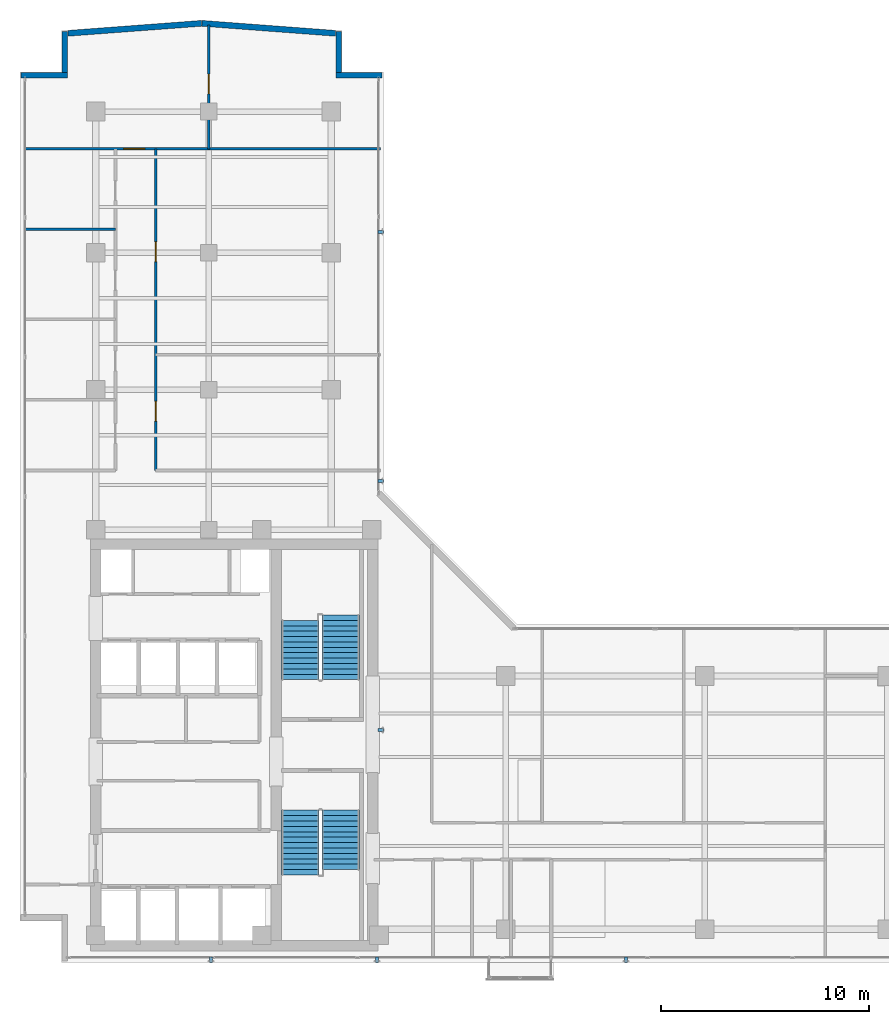
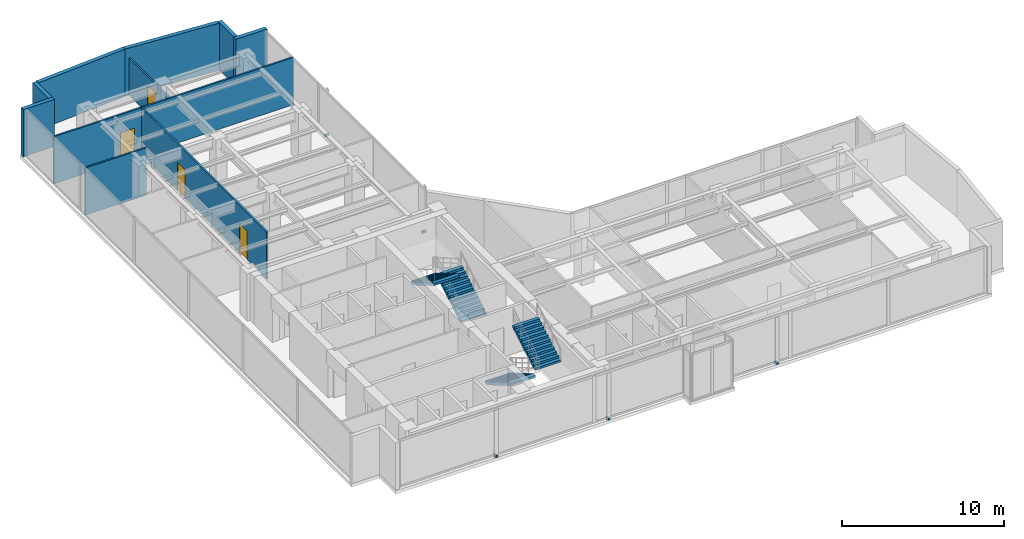
# One storey, part 19 of 24: 10 walls, 6 discrete accessories, 4 doors, 4 stair flights, 4 openings, 2 elements without a shape of their own.
"""IFC4 building model written with IfcOpenShell, lengths in metres."""

import ifcopenshell
import ifcopenshell.guid

model = None  # the IFC model being written
_history = None  # IfcOwnerHistory: only IFC2X3 demands one
_inside = {}  # id of a spatial element -> (the spatial element, [elements in it])
_under = {}  # id of a project, library or spatial element -> (it, [spatial elements below it])
_declared = {}  # id of a project -> (the project, [libraries it declares])
_typed = {}  # id of a type object -> (the type object, [elements of that type])
_made_of = {}  # id of a material, layer set ... -> (it, [elements and type objects made of it])


def new_model(schema):
    """Start an empty IFC model of exactly this schema.

    Asked for "IFC4X3", IfcOpenShell would pick the latest addendum, in which some entities
    have other attributes; the version numbers below select the first issue.
    IFC2X3 requires an IfcOwnerHistory on every rooted entity: one is made here for all.
    """
    global model, _history
    if schema == "IFC4X3":
        model = ifcopenshell.file(schema_version=(4, 3, 0, 0))
    else:
        model = ifcopenshell.file(schema=schema)
    _inside.clear()
    _under.clear()
    _declared.clear()
    _typed.clear()
    _made_of.clear()
    _history = None
    if model.schema == "IFC2X3":
        org = make("IfcOrganization", Name="unknown")
        user = make(
            "IfcPersonAndOrganization",
            ThePerson=make("IfcPerson", FamilyName="unknown"),
            TheOrganization=org,
        )
        app = make(
            "IfcApplication",
            ApplicationDeveloper=org,
            Version="unknown",
            ApplicationFullName="unknown",
            ApplicationIdentifier="unknown",
        )
        _history = make(
            "IfcOwnerHistory",
            OwningUser=user,
            OwningApplication=app,
            ChangeAction="ADDED",
            CreationDate=0,
        )
    return model


def make(cls, **values):
    """One entity of the class cls with the attributes given. An attribute that is None is left unset."""
    return model.create_entity(
        cls, **{name: value for name, value in values.items() if value is not None}
    )


def rooted(cls, **values):
    """An entity with a GlobalId (a new one), such as an element, a storey or a relation."""
    return make(cls, GlobalId=ifcopenshell.guid.new(), OwnerHistory=_history, **values)


def si_unit(unit_type, name, prefix=None):
    """IfcSIUnit, for example si_unit("LENGTHUNIT", "METRE", prefix="MILLI")."""
    return make("IfcSIUnit", UnitType=unit_type, Prefix=prefix, Name=name)


def assignment(units):
    """IfcUnitAssignment: the units of a project."""
    return None if units is None else make("IfcUnitAssignment", Units=units)


def point(xyz):
    """IfcCartesianPoint."""
    return None if xyz is None else make("IfcCartesianPoint", Coordinates=xyz)


def direction(xyz):
    """IfcDirection."""
    return None if xyz is None else make("IfcDirection", DirectionRatios=xyz)


def frame(location, z_axis=None, x_axis=None):
    """IfcAxis2Placement3D, a coordinate frame: its origin and axes. An axis left out is left unset."""
    return make(
        "IfcAxis2Placement3D",
        Location=point(location),
        Axis=direction(z_axis),
        RefDirection=direction(x_axis),
    )


def frame_2d(location, x_axis=None):
    """IfcAxis2Placement2D, a coordinate frame in the plane: its origin and x axis."""
    return make(
        "IfcAxis2Placement2D", Location=point(location), RefDirection=direction(x_axis)
    )


def origin():
    """The frame at (0, 0, 0) with its axes left unset."""
    return frame((0.0, 0.0, 0.0))


def origin_with_axes():
    """The frame at (0, 0, 0) with the z axis (0, 0, 1) and the x axis (1, 0, 0) written out."""
    return frame((0.0, 0.0, 0.0), z_axis=(0.0, 0.0, 1.0), x_axis=(1.0, 0.0, 0.0))


def origin_2d():
    """The frame at (0, 0) in the plane with its x axis left unset."""
    return frame_2d((0.0, 0.0))


def place(relative_to, where):
    """IfcLocalPlacement: puts the frame where relative to a parent placement (None: the world)."""
    return make(
        "IfcLocalPlacement", PlacementRelTo=relative_to, RelativePlacement=where
    )


def context(
    kind, dimensions, precision=None, world=None, true_north=None, identifier=None
):
    """IfcGeometricRepresentationContext, for example the 3D "Model" context."""
    return make(
        "IfcGeometricRepresentationContext",
        ContextIdentifier=identifier,
        ContextType=kind,
        CoordinateSpaceDimension=dimensions,
        Precision=precision,
        WorldCoordinateSystem=world,
        TrueNorth=true_north,
    )


def subcontext(parent, identifier, kind, view, scale=None):
    """IfcGeometricRepresentationSubContext, for example "Body" below "Model"."""
    return make(
        "IfcGeometricRepresentationSubContext",
        ContextIdentifier=identifier,
        ContextType=kind,
        ParentContext=parent,
        TargetScale=scale,
        TargetView=view,
    )


def project(units=None, contexts=None):
    """IfcProject with its units and contexts."""
    return rooted(
        "IfcProject",
        Name="project",
        RepresentationContexts=contexts,
        UnitsInContext=assignment(units),
    )


def spatial(cls, under=None, at=None, **own):
    """A site, building, storey or space (cls), placed at a placement, below another one or the project."""
    s = rooted(cls, ObjectPlacement=at, **own)
    if under is not None:
        _under.setdefault(under.id(), (under, []))[1].append(s)
    return s


def polyline(points):
    """IfcPolyline through the points."""
    return make("IfcPolyline", Points=[point(p) for p in points])


def profile(cls, at=None, kind="AREA", **sizes):
    """A parametric profile (cls). Its sizes go by their IFC names, for example OverallWidth=200.0."""
    return make(cls, ProfileType=kind, Position=at, **sizes)


def rectangle(**sizes):
    """IfcRectangleProfileDef."""
    return profile("IfcRectangleProfileDef", **sizes)


def outline(outer, holes=None, kind="AREA"):
    """IfcArbitraryClosedProfileDef: a profile drawn as a closed curve; with holes, ...WithVoids."""
    if holes is None:
        return make("IfcArbitraryClosedProfileDef", ProfileType=kind, OuterCurve=outer)
    return make(
        "IfcArbitraryProfileDefWithVoids",
        ProfileType=kind,
        OuterCurve=outer,
        InnerCurves=holes,
    )


def extrude(swept, where, along, depth):
    """IfcExtrudedAreaSolid: the profile swept, set in the frame where, extruded along a direction by depth."""
    return make(
        "IfcExtrudedAreaSolid",
        SweptArea=swept,
        Position=where,
        ExtrudedDirection=direction(along),
        Depth=depth,
    )


def shape(context_of_items, identifier, shape_type, items):
    """IfcShapeRepresentation: the items that make up one representation, for example the "Body"."""
    return make(
        "IfcShapeRepresentation",
        ContextOfItems=context_of_items,
        RepresentationIdentifier=identifier,
        RepresentationType=shape_type,
        Items=items,
    )


def source(mapping_origin, context_of_items, identifier, shape_type, items):
    """IfcRepresentationMap: a shape defined once, which mapped items show again and again."""
    return make(
        "IfcRepresentationMap",
        MappingOrigin=mapping_origin,
        MappedRepresentation=shape(context_of_items, identifier, shape_type, items),
    )


def transform(
    local_origin,
    x_axis=None,
    y_axis=None,
    z_axis=None,
    scale=None,
    scale2=None,
    scale3=None,
    uniform=True,
):
    """IfcCartesianTransformationOperator3D, or its non-uniform kind. x_axis, y_axis, z_axis: its Axis1, 2, 3."""
    if uniform:
        return make(
            "IfcCartesianTransformationOperator3D",
            Axis1=direction(x_axis),
            Axis2=direction(y_axis),
            LocalOrigin=point(local_origin),
            Scale=scale,
            Axis3=direction(z_axis),
        )
    return make(
        "IfcCartesianTransformationOperator3DnonUniform",
        Axis1=direction(x_axis),
        Axis2=direction(y_axis),
        LocalOrigin=point(local_origin),
        Scale=scale,
        Axis3=direction(z_axis),
        Scale2=scale2,
        Scale3=scale3,
    )


def mapped(mapping_source, mapping_target):
    """IfcMappedItem: shows the shape of a source again, moved by a transform."""
    return make(
        "IfcMappedItem", MappingSource=mapping_source, MappingTarget=mapping_target
    )


def material(Name=None, Category=None):
    """IfcMaterial."""
    return make("IfcMaterial", Name=Name, Category=Category)


def layer(
    of_material, thickness, ventilated=None, Name=None, Category=None, Priority=None
):
    """IfcMaterialLayer: one layer of a wall or slab, of a material (None: an air gap)."""
    return make(
        "IfcMaterialLayer",
        Material=of_material,
        LayerThickness=thickness,
        IsVentilated=ventilated,
        Name=Name,
        Category=Category,
        Priority=Priority,
    )


def layer_set(layers, Name=None):
    """IfcMaterialLayerSet."""
    return make("IfcMaterialLayerSet", MaterialLayers=layers, LayerSetName=Name)


def made_of(thing, what):
    """Note that an element or type object is made of a material, layer set ...; save() writes the relation."""
    if what is not None:
        _made_of.setdefault(what.id(), (what, []))[1].append(thing)
    return thing


def type_object(cls, material=None, **own):
    """A type object (cls), such as IfcWallType, which elements share."""
    return made_of(rooted(cls, **own), material)


def element(
    cls,
    number,
    at=None,
    inside=None,
    cuts=None,
    type_object=None,
    material=None,
    context=None,
    identifier="Body",
    shape_type=None,
    held_by="IfcProductDefinitionShape",
    body=None,
    shapes=None,
    **own,
):
    """One element of the class cls, such as IfcWall. Its Tag is "e" and its number.

    at: its placement. inside: the storey or other place that contains it. cuts: it is an
    opening in that element (IfcRelVoidsElement). A single representation is given by context,
    identifier, shape_type and body (its items); several are given by shapes. held_by: the class
    of the entity that holds the representations. save() writes the other relations.
    """
    e = rooted(cls, Tag="e%d" % number, ObjectPlacement=at, **own)
    if body is not None:
        shapes = [shape(context, identifier, shape_type, body)]
    if shapes is not None:
        e.Representation = make(held_by, Representations=shapes)
    if inside is not None:
        _inside.setdefault(inside.id(), (inside, []))[1].append(e)
    if cuts is not None:
        rooted(
            "IfcRelVoidsElement", RelatingBuildingElement=cuts, RelatedOpeningElement=e
        )
    if type_object is not None:
        _typed.setdefault(type_object.id(), (type_object, []))[1].append(e)
    return made_of(e, material)


def fill(opening, filler):
    """IfcRelFillsElement: the door or window that sits in an opening."""
    return rooted(
        "IfcRelFillsElement",
        RelatingOpeningElement=opening,
        RelatedBuildingElement=filler,
    )


def aggregate(whole, parts):
    """IfcRelAggregates: a whole, such as a stair, and the parts it consists of."""
    return rooted("IfcRelAggregates", RelatingObject=whole, RelatedObjects=parts)


def save(model, path):
    """Write the relations noted so far, then the file.

    IfcRelAggregates (storeys below a building ...), IfcRelContainedInSpatialStructure (elements
    in a storey), IfcRelDefinesByType, IfcRelAssociatesMaterial and IfcRelDeclares: one each for
    every whole, place, type object, material and project.
    """
    for whole, parts in _under.values():
        aggregate(whole, parts)
    for where, things in _inside.values():
        rooted(
            "IfcRelContainedInSpatialStructure",
            RelatedElements=things,
            RelatingStructure=where,
        )
    for kind, things in _typed.values():
        rooted("IfcRelDefinesByType", RelatedObjects=things, RelatingType=kind)
    for what, things in _made_of.values():
        rooted("IfcRelAssociatesMaterial", RelatedObjects=things, RelatingMaterial=what)
    for by, libraries in _declared.values():
        rooted("IfcRelDeclares", RelatingContext=by, RelatedDefinitions=libraries)
    model.write(path)


model = new_model("IFC4")

# Units and contexts
model_context = context("Model", 3, precision=1e-05, world=origin(), true_north=direction((0.0, 1.0)))
body_context = subcontext(model_context, "Body", "Model", "MODEL_VIEW")
ifc_project = project(units=[si_unit("LENGTHUNIT", "METRE"), si_unit("AREAUNIT", "SQUARE_METRE"), si_unit("VOLUMEUNIT", "CUBIC_METRE"), si_unit("PLANEANGLEUNIT", "RADIAN"), si_unit("MASSUNIT", "GRAM", prefix="KILO")], contexts=[model_context])

# Site, building, storey
site_placement = place(None, origin())
site = spatial("IfcSite", under=ifc_project, at=site_placement, CompositionType="ELEMENT")
building_placement = place(site_placement, origin())
building = spatial("IfcBuilding", under=site, at=building_placement, Name="Kolvaren Waterfront Exchange", CompositionType="ELEMENT")
storey_placement = place(building_placement, frame((0.0, 0.0, 293.199951171875)))
storey = spatial("IfcBuildingStorey", under=building, at=storey_placement, Name="L75", CompositionType="ELEMENT", Elevation=293.199951171875)

# Walls
ifc_material_1 = material(Name="Precast concrete C40/50", Category="concrete")
ifc_layer_1 = layer(ifc_material_1, 0.280029296875, Name="Precast concrete C40/50")
ifc_layer_set_1 = layer_set([ifc_layer_1], Name="Precast concrete C40/50")
wall_type_1 = type_object("IfcWallType", Name="ARC-EXT-TERR-280", PredefinedType="SOLIDWALL", material=ifc_layer_set_1)
wall_1_placement = place(storey_placement, frame((19.015869140625, 46.34521484375, 0.0), z_axis=(0.0, 0.0, 1.0), x_axis=(1.0, 0.0, 0.0)))
element("IfcWall", 1, at=wall_1_placement, inside=storey, type_object=wall_type_1, Name="L75 notched corner spandrel pier NNE-A", PredefinedType="SOLIDWALL", context=body_context, shape_type="SweptSolid", body=[
    extrude(rectangle(XDim=2.239990234375, YDim=0.280029296875, at=frame_2d((1.1201171875, 0.0))), origin(), (0.0, 0.0, 1.0), 3.56005859375),
])
wall_2_placement = place(storey_placement, frame((19.15576171875, 46.4853515625, 0.0), z_axis=(0.0, 0.0, 1.0), x_axis=(0.0, 1.0, 0.0)))
element("IfcWall", 2, at=wall_2_placement, inside=storey, type_object=wall_type_1, Name="L75 notched corner spandrel pier NNE-B", PredefinedType="SOLIDWALL", context=body_context, shape_type="SweptSolid", body=[
    extrude(rectangle(XDim=1.9599609375, YDim=0.280029296875, at=frame_2d((0.97998046875, 0.0))), origin(), (0.0, 0.0, 1.0), 3.56005859375),
])
wall_3_placement = place(storey_placement, frame((3.860107421875, 46.34521484375, 0.0), z_axis=(0.0, 0.0, 1.0), x_axis=(1.0, 0.0, 0.0)))
element("IfcWall", 3, at=wall_3_placement, inside=storey, type_object=wall_type_1, Name="L75 notched corner spandrel pier NW-A", PredefinedType="SOLIDWALL", context=body_context, shape_type="SweptSolid", body=[
    extrude(rectangle(XDim=2.239990234375, YDim=0.280029296875, at=frame_2d((1.1201171875, 0.0))), origin(), (0.0, 0.0, 1.0), 3.56005859375),
])
wall_4_placement = place(storey_placement, frame((5.9599609375, 46.4853515625, 0.0), z_axis=(0.0, 0.0, 1.0), x_axis=(0.0, 1.0, 0.0)))
element("IfcWall", 4, at=wall_4_placement, inside=storey, type_object=wall_type_1, Name="L75 notched corner spandrel pier NW-B", PredefinedType="SOLIDWALL", context=body_context, shape_type="SweptSolid", body=[
    extrude(rectangle(XDim=1.9599609375, YDim=0.280029296875, at=frame_2d((0.97998046875, 0.0))), origin(), (0.0, 0.0, 1.0), 3.56005859375),
])
for number, where, z_axis, x_axis, name in (
    (5, (19.004638671875, 48.3681640625, 0.0), (0.0, 0.0, 1.0), (-0.997216134308, 0.074565283315, 0.0), "L75 north prow faceted facade wall 1"),
    (6, (12.5498046875, 48.849609375, 0.0), (0.0, 0.0, 1.0), (-0.997216134308, -0.074565283315, 0.0), "L75 north prow faceted facade wall 2"),
):
    element("IfcWall", number, at=place(storey_placement, frame(where, z_axis=z_axis, x_axis=x_axis)), inside=storey, type_object=wall_type_1, Name=name, PredefinedType="SOLIDWALL", context=body_context, shape_type="SweptSolid", body=[
        extrude(rectangle(XDim=6.456787109375, YDim=0.280029296875, at=frame_2d((3.228515625, 0.0))), origin(), (0.0, 0.0, 1.0), 3.56005859375),
    ])
ifc_material_2 = material(Name="Acoustic gypsum steel stud", Category="steel")
ifc_layer_2 = layer(ifc_material_2, 0.125, Name="Acoustic gypsum steel stud")
ifc_layer_set_2 = layer_set([ifc_layer_2], Name="Acoustic gypsum steel stud")
wall_type_2 = type_object("IfcWallType", Name="ARC-PART-125", PredefinedType="PARTITIONING", material=ifc_layer_set_2)
wall_5_placement = place(storey_placement, frame((4.0400390625, 38.919921875, 0.0), z_axis=(0.0, 0.0, 1.0), x_axis=(1.0, 0.0, 0.0)))
element("IfcWall", 7, at=wall_5_placement, inside=storey, type_object=wall_type_2, Name="L75 interior wall PW-L75-NW-DIV-3", PredefinedType="PARTITIONING", context=body_context, shape_type="SweptSolid", body=[
    extrude(rectangle(XDim=4.35986328125, YDim=0.125, at=frame_2d((2.179931640625, 0.0))), origin(), (0.0, 0.0, 1.0), 3.56005859375),
])

# Wall, opening, door
wall_6_placement = place(storey_placement, frame((4.0400390625, 42.800048828125, 0.0), z_axis=(0.0, 0.0, 1.0), x_axis=(1.0, 0.0, 0.0)))
wall_6 = element("IfcWall", 8, at=wall_6_placement, inside=storey, type_object=wall_type_2, Name="L75 interior wall PW-L75-NTIP-S", PredefinedType="PARTITIONING", context=body_context, shape_type="SweptSolid", body=[
    extrude(rectangle(XDim=17.119873046875, YDim=0.125, at=frame_2d((8.56005859375, 0.0))), origin(), (0.0, 0.0, 1.0), 3.56005859375),
])
opening_1_placement = place(wall_6_placement, frame((4.760009765625, 0.0, 0.0)))
opening_1 = element("IfcOpeningElement", 9, at=opening_1_placement, cuts=wall_6, Name="Opening D03", PredefinedType="OPENING", context=body_context, shape_type="SweptSolid", body=[
    extrude(rectangle(XDim=1.0, YDim=2.199951171875, at=frame_2d((0.5, 1.10009765625))), frame((0.0, 0.072509765625, 0.0), z_axis=(0.0, -1.0, 0.0), x_axis=(1.0, 0.0, 0.0)), (0.0, 0.0, 1.0), 0.14501953125),
])
ifc_material_3 = material(Name="Oak veneer accessible timber", Category="wood")
door_type_1 = type_object("IfcDoorType", Name="ARC-DR-1000", OperationType="NOTDEFINED", PredefinedType="DOOR", material=ifc_material_3)
door_1_placement = place(opening_1_placement, origin())
door_1 = element("IfcDoor", 10, at=door_1_placement, inside=storey, type_object=door_type_1, Name="L75 door DR-L75-NTIPW-D (D03)", OperationType="SINGLE_SWING_RIGHT", OverallHeight=2.199951171875, OverallWidth=1.0, PredefinedType="DOOR", context=body_context, shape_type="SweptSolid", body=[
    extrude(rectangle(XDim=1.0, YDim=2.199951171875, at=frame_2d((0.5, 1.10009765625))), frame((0.0, 0.02490234375, 0.0), z_axis=(0.0, -1.0, 0.0), x_axis=(1.0, 0.0, 0.0)), (0.0, 0.0, 1.0), 0.050048828125),
])
fill(opening_1, door_1)

wall_7_placement = place(storey_placement, frame((12.89990234375, 42.800048828125, 0.0), z_axis=(0.0, 0.0, 1.0), x_axis=(0.0, 1.0, 0.0)))
wall_7 = element("IfcWall", 11, at=wall_7_placement, inside=storey, type_object=wall_type_2, Name="L75 interior wall PW-L75-NTIP-DIV", PredefinedType="PARTITIONING", context=body_context, shape_type="SweptSolid", body=[
    extrude(rectangle(XDim=5.970458984375, YDim=0.125, at=frame_2d((2.9853515625, 0.0))), origin(), (0.0, 0.0, 1.0), 2.798095703125),
])
opening_2_placement = place(wall_7_placement, frame((2.64794921875, 0.0, 0.0)))
opening_2 = element("IfcOpeningElement", 12, at=opening_2_placement, cuts=wall_7, Name="Opening D02", PredefinedType="OPENING", context=body_context, shape_type="SweptSolid", body=[
    extrude(rectangle(XDim=0.949951171875, YDim=2.14990234375, at=frame_2d((0.47509765625, 1.074951171875))), frame((0.0, 0.072509765625, 0.0), z_axis=(0.0, -1.0, 0.0), x_axis=(1.0, 0.0, 0.0)), (0.0, 0.0, 1.0), 0.14501953125),
])
ifc_material_4 = material(Name="Oak veneer acoustic timber", Category="wood")
door_type_2 = type_object("IfcDoorType", Name="ARC-DR-950", OperationType="NOTDEFINED", PredefinedType="DOOR", material=ifc_material_4)
door_2_placement = place(opening_2_placement, origin())
door_2 = element("IfcDoor", 13, at=door_2_placement, inside=storey, type_object=door_type_2, Name="L75 door DR-L75-NTIPE-D (D02)", OperationType="SINGLE_SWING_LEFT", OverallHeight=2.14990234375, OverallWidth=0.949951171875, PredefinedType="DOOR", context=body_context, shape_type="SweptSolid", body=[
    extrude(rectangle(XDim=0.949951171875, YDim=2.14990234375, at=frame_2d((0.47509765625, 1.074951171875))), frame((0.0, 0.02490234375, 0.0), z_axis=(0.0, -1.0, 0.0), x_axis=(1.0, 0.0, 0.0)), (0.0, 0.0, 1.0), 0.050048828125),
])
fill(opening_2, door_2)

# Wall, openings, doors
wall_8_placement = place(storey_placement, frame((10.340087890625, 27.300048828125, 0.0), z_axis=(0.0, 0.0, 1.0), x_axis=(0.0, 1.0, 0.0)))
wall_8 = element("IfcWall", 14, at=wall_8_placement, inside=storey, type_object=wall_type_2, Name="L75 interior wall PW-L75-NE-CORR", PredefinedType="PARTITIONING", context=body_context, shape_type="SweptSolid", body=[
    extrude(rectangle(XDim=15.5, YDim=0.125, at=frame_2d((7.75, 0.0))), origin(), (0.0, 0.0, 1.0), 3.56005859375),
])
opening_3_placement = place(wall_8_placement, frame((2.385986328125, 0.0, 0.0)))
opening_3 = element("IfcOpeningElement", 15, at=opening_3_placement, cuts=wall_8, Name="Opening D02", PredefinedType="OPENING", context=body_context, shape_type="SweptSolid", body=[
    extrude(rectangle(XDim=0.949951171875, YDim=2.14990234375, at=frame_2d((0.47509765625, 1.074951171875))), frame((0.0, 0.072509765625, 0.0), z_axis=(0.0, -1.0, 0.0), x_axis=(1.0, 0.0, 0.0)), (0.0, 0.0, 1.0), 0.14501953125),
])
opening_4_placement = place(wall_8_placement, frame((10.06494140625, 0.0, 0.0)))
opening_4 = element("IfcOpeningElement", 16, at=opening_4_placement, cuts=wall_8, Name="Opening D02", PredefinedType="OPENING", context=body_context, shape_type="SweptSolid", body=[
    extrude(rectangle(XDim=0.949951171875, YDim=2.14990234375, at=frame_2d((0.47509765625, 1.074951171875))), frame((0.0, 0.072509765625, 0.0), z_axis=(0.0, -1.0, 0.0), x_axis=(1.0, 0.0, 0.0)), (0.0, 0.0, 1.0), 0.14501953125),
])
door_3_placement = place(opening_3_placement, origin())
door_3 = element("IfcDoor", 17, at=door_3_placement, inside=storey, type_object=door_type_2, Name="L75 door DR-L75-NE-D-1 (D02)", OperationType="SINGLE_SWING_RIGHT", OverallHeight=2.14990234375, OverallWidth=0.949951171875, PredefinedType="DOOR", context=body_context, shape_type="SweptSolid", body=[
    extrude(rectangle(XDim=0.949951171875, YDim=2.14990234375, at=frame_2d((0.47509765625, 1.074951171875))), frame((0.0, 0.02490234375, 0.0), z_axis=(0.0, -1.0, 0.0), x_axis=(1.0, 0.0, 0.0)), (0.0, 0.0, 1.0), 0.050048828125),
])
fill(opening_3, door_3)
door_4_placement = place(opening_4_placement, origin())
door_4 = element("IfcDoor", 18, at=door_4_placement, inside=storey, type_object=door_type_2, Name="L75 door DR-L75-NE-D-2 (D02)", OperationType="SINGLE_SWING_LEFT", OverallHeight=2.14990234375, OverallWidth=0.949951171875, PredefinedType="DOOR", context=body_context, shape_type="SweptSolid", body=[
    extrude(rectangle(XDim=0.949951171875, YDim=2.14990234375, at=frame_2d((0.47509765625, 1.074951171875))), frame((0.0, 0.02490234375, 0.0), z_axis=(0.0, -1.0, 0.0), x_axis=(1.0, 0.0, 0.0)), (0.0, 0.0, 1.0), 0.050048828125),
])
fill(opening_4, door_4)

# Stair, stair flights
ifc_material_5 = material(Name="Concrete C40/50", Category="concrete")
stair_type = type_object("IfcStairType", Name="ARC-STAIR-3800", PredefinedType="HALF_TURN_STAIR", material=ifc_material_5)
stair_1_placement = place(storey_placement, origin())
stair_1 = element("IfcStair", 19, at=stair_1_placement, inside=storey, type_object=stair_type, Name="L75 Smoke-proof exit stair ST1", PredefinedType="HALF_TURN_STAIR")
stair_flight_type = type_object("IfcStairFlightType", Name="ARC-FLIGHT-3800", PredefinedType="STRAIGHT", material=ifc_material_5)
stair_flight_1_placement = place(storey_placement, frame((17.300048828125, 10.929931640625, 0.0), z_axis=(0.0, 0.0, 1.0), x_axis=(0.0, -1.0, 0.0)))
stair_flight_1 = element("IfcStairFlight", 20, at=stair_flight_1_placement, type_object=stair_flight_type, Name="ST1 flight 1", NumberOfRisers=13, NumberOfTreads=12, PredefinedType="STRAIGHT", RiserHeight=0.152, TreadLength=0.26, context=body_context, shape_type="SweptSolid", body=[
    extrude(outline(polyline([(0.0, 0.0), (0.0, 0.152099609375), (0.260009765625, 0.152099609375), (0.260009765625, 0.303955078125), (0.52001953125, 0.303955078125), (0.52001953125, 0.4560546875), (0.780029296875, 0.4560546875), (0.780029296875, 0.60791015625), (1.0400390625, 0.60791015625), (1.0400390625, 0.760009765625), (1.300048828125, 0.760009765625), (1.300048828125, 0.912109375), (1.56005859375, 0.912109375), (1.56005859375, 1.06396484375), (1.820068359375, 1.06396484375), (1.820068359375, 1.216064453125), (2.080078125, 1.216064453125), (2.080078125, 1.367919921875), (2.340087890625, 1.367919921875), (2.340087890625, 1.52001953125), (2.60009765625, 1.52001953125), (2.60009765625, 1.672119140625), (2.860107421875, 1.672119140625), (2.860107421875, 1.823974609375), (3.1201171875, 1.823974609375), (3.1201171875, 1.97607421875), (3.1201171875, 1.650390625), (0.297119140625, 0.0), (0.0, 0.0)])), frame((0.0, 0.89990234375, 0.0), z_axis=(0.0, -1.0, 0.0), x_axis=(1.0, 0.0, 0.0)), (0.0, 0.0, 1.0), 1.800048828125),
])
stair_flight_2_placement = place(storey_placement, frame((19.260009765625, 8.070068359375, 1.97607421875), z_axis=(0.0, 0.0, 1.0), x_axis=(0.0, 1.0, 0.0)))
stair_flight_2 = element("IfcStairFlight", 21, at=stair_flight_2_placement, type_object=stair_flight_type, Name="ST1 flight 2", NumberOfRisers=12, NumberOfTreads=11, PredefinedType="STRAIGHT", RiserHeight=0.152, TreadLength=0.26, context=body_context, shape_type="SweptSolid", body=[
    extrude(outline(polyline([(0.0, 0.0), (0.0, 0.152099609375), (0.260009765625, 0.152099609375), (0.260009765625, 0.303955078125), (0.52001953125, 0.303955078125), (0.52001953125, 0.4560546875), (0.780029296875, 0.4560546875), (0.780029296875, 0.60791015625), (1.0400390625, 0.60791015625), (1.0400390625, 0.760009765625), (1.300048828125, 0.760009765625), (1.300048828125, 0.912109375), (1.56005859375, 0.912109375), (1.56005859375, 1.06396484375), (1.820068359375, 1.06396484375), (1.820068359375, 1.216064453125), (2.080078125, 1.216064453125), (2.080078125, 1.367919921875), (2.340087890625, 1.367919921875), (2.340087890625, 1.52001953125), (2.60009765625, 1.52001953125), (2.60009765625, 1.672119140625), (2.860107421875, 1.672119140625), (2.860107421875, 1.823974609375), (2.860107421875, 1.498291015625), (0.297119140625, 0.0), (0.0, 0.0)])), frame((0.0, 0.89990234375, 0.0), z_axis=(0.0, -1.0, 0.0), x_axis=(1.0, 0.0, 0.0)), (0.0, 0.0, 1.0), 1.800048828125),
])
aggregate(stair_1, [stair_flight_1, stair_flight_2])

stair_2_placement = place(storey_placement, origin())
stair_2 = element("IfcStair", 22, at=stair_2_placement, inside=storey, type_object=stair_type, Name="L75 Smoke-proof exit stair ST2", PredefinedType="HALF_TURN_STAIR")
stair_flight_3_placement = place(storey_placement, frame((19.260009765625, 17.219970703125, 0.0), z_axis=(0.0, 0.0, 1.0), x_axis=(0.0, 1.0, 0.0)))
stair_flight_3 = element("IfcStairFlight", 23, at=stair_flight_3_placement, type_object=stair_flight_type, Name="ST2 flight 1", NumberOfRisers=13, NumberOfTreads=12, PredefinedType="STRAIGHT", RiserHeight=0.152, TreadLength=0.26, context=body_context, shape_type="SweptSolid", body=[
    extrude(outline(polyline([(0.0, 0.0), (0.0, 0.152099609375), (0.260009765625, 0.152099609375), (0.260009765625, 0.303955078125), (0.52001953125, 0.303955078125), (0.52001953125, 0.4560546875), (0.780029296875, 0.4560546875), (0.780029296875, 0.60791015625), (1.0400390625, 0.60791015625), (1.0400390625, 0.760009765625), (1.300048828125, 0.760009765625), (1.300048828125, 0.912109375), (1.56005859375, 0.912109375), (1.56005859375, 1.06396484375), (1.820068359375, 1.06396484375), (1.820068359375, 1.216064453125), (2.080078125, 1.216064453125), (2.080078125, 1.367919921875), (2.340087890625, 1.367919921875), (2.340087890625, 1.52001953125), (2.60009765625, 1.52001953125), (2.60009765625, 1.672119140625), (2.860107421875, 1.672119140625), (2.860107421875, 1.823974609375), (3.1201171875, 1.823974609375), (3.1201171875, 1.97607421875), (3.1201171875, 1.650390625), (0.297119140625, 0.0), (0.0, 0.0)])), frame((0.0, 0.89990234375, 0.0), z_axis=(0.0, -1.0, 0.0), x_axis=(1.0, 0.0, 0.0)), (0.0, 0.0, 1.0), 1.800048828125),
])
stair_flight_4_placement = place(storey_placement, frame((17.300048828125, 20.080078125, 1.97607421875), z_axis=(0.0, 0.0, 1.0), x_axis=(0.0, -1.0, 0.0)))
stair_flight_4 = element("IfcStairFlight", 24, at=stair_flight_4_placement, type_object=stair_flight_type, Name="ST2 flight 2", NumberOfRisers=12, NumberOfTreads=11, PredefinedType="STRAIGHT", RiserHeight=0.152, TreadLength=0.26, context=body_context, shape_type="SweptSolid", body=[
    extrude(outline(polyline([(0.0, 0.0), (0.0, 0.152099609375), (0.260009765625, 0.152099609375), (0.260009765625, 0.303955078125), (0.52001953125, 0.303955078125), (0.52001953125, 0.4560546875), (0.780029296875, 0.4560546875), (0.780029296875, 0.60791015625), (1.0400390625, 0.60791015625), (1.0400390625, 0.760009765625), (1.300048828125, 0.760009765625), (1.300048828125, 0.912109375), (1.56005859375, 0.912109375), (1.56005859375, 1.06396484375), (1.820068359375, 1.06396484375), (1.820068359375, 1.216064453125), (2.080078125, 1.216064453125), (2.080078125, 1.367919921875), (2.340087890625, 1.367919921875), (2.340087890625, 1.52001953125), (2.60009765625, 1.52001953125), (2.60009765625, 1.672119140625), (2.860107421875, 1.672119140625), (2.860107421875, 1.823974609375), (2.860107421875, 1.498291015625), (0.297119140625, 0.0), (0.0, 0.0)])), frame((0.0, 0.89990234375, 0.0), z_axis=(0.0, -1.0, 0.0), x_axis=(1.0, 0.0, 0.0)), (0.0, 0.0, 1.0), 1.800048828125),
])
aggregate(stair_2, [stair_flight_3, stair_flight_4])

# Discrete accessories
ifc_material_6 = material(Name="Stainless steel 316", Category="steel")
discrete_accessory_type = type_object("IfcDiscreteAccessoryType", Name="ARC-BRK-FIN", PredefinedType="BRACKET", material=ifc_material_6)
shared_shape = source(origin_with_axes(), body_context, "Body", "SweptSolid", [
    extrude(rectangle(XDim=0.280029296875, YDim=0.139892578125, at=origin_2d()), origin(), (0.0, 0.0, 1.0), 0.159912109375),
])
for number, where, z_axis, x_axis, name in (
    (25, (13.0, 3.719970703125, 0.0), (0.0, 0.0, 1.0), (0.0, -1.0, 0.0), "L75 bronze fin anchor bracket FIN-L75-S1"),
    (26, (21.0, 3.719970703125, 0.0), (0.0, 0.0, 1.0), (0.0, -1.0, 0.0), "L75 bronze fin anchor bracket FIN-L75-S2"),
    (27, (33.0, 3.719970703125, 0.0), (0.0, 0.0, 1.0), (0.0, -1.0, 0.0), "L75 bronze fin anchor bracket FIN-L75-S3"),
    (28, (21.19580078125, 14.800048828125, 0.0), (0.0, 0.0, 1.0), (1.0, 0.0, 0.0), "L75 bronze fin anchor bracket FIN-L75-E1"),
    (29, (21.19580078125, 26.800048828125, 0.0), (0.0, 0.0, 1.0), (1.0, 0.0, 0.0), "L75 bronze fin anchor bracket FIN-L75-E2"),
    (30, (21.19580078125, 38.800048828125, 0.0), (0.0, 0.0, 1.0), (1.0, 0.0, 0.0), "L75 bronze fin anchor bracket FIN-L75-E3"),
):
    element("IfcDiscreteAccessory", number, at=place(storey_placement, frame(where, z_axis=z_axis, x_axis=x_axis)), inside=storey, type_object=discrete_accessory_type, Name=name, PredefinedType="BRACKET", context=body_context, shape_type="MappedRepresentation", body=[
        mapped(shared_shape, transform((0.0, 0.0, 0.0), x_axis=(1.0, 0.0, 0.0), y_axis=(0.0, 1.0, 0.0), z_axis=(0.0, 0.0, 1.0), scale=1.0)),
    ])

save(model, "model.ifc")
